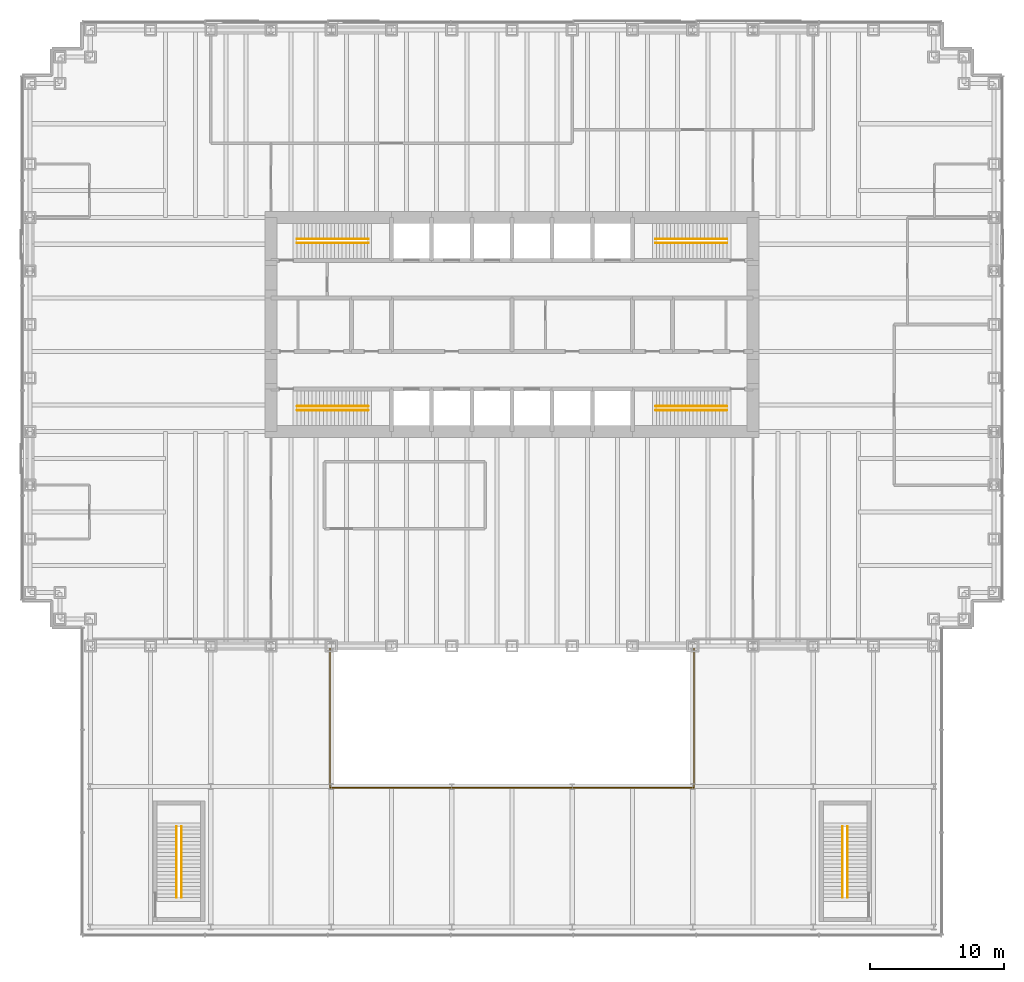
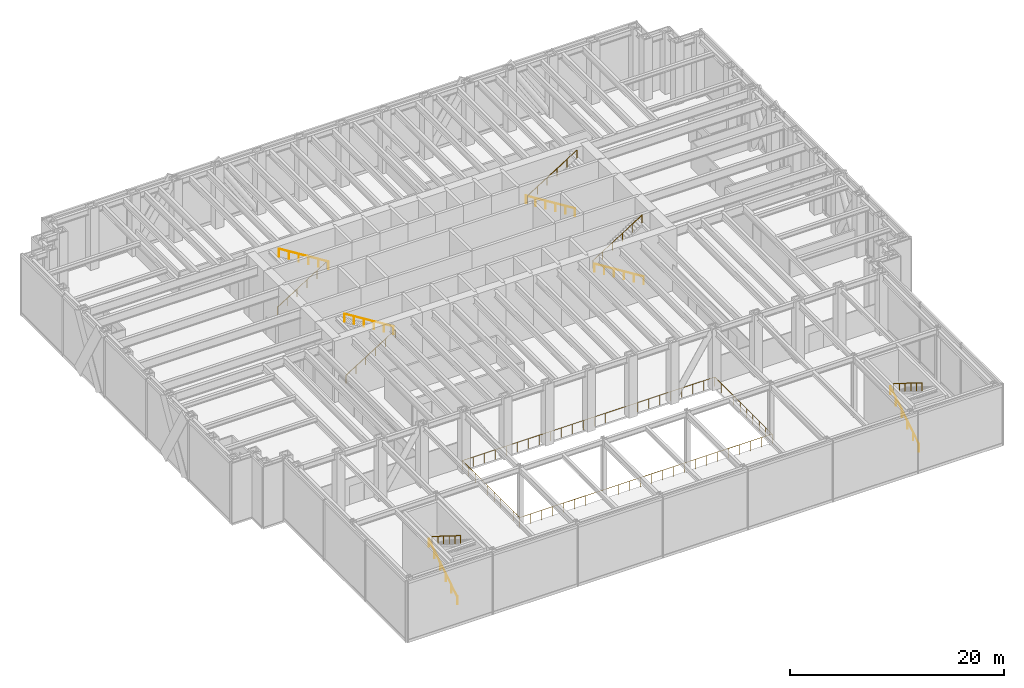
# One storey, part 17 of 17: 13 railings.
"""IFC4 building model written with IfcOpenShell, lengths in metres."""

from ifc_helpers import new_model, si_unit, direction, frame, origin, origin_2d, place, context, subcontext, project, spatial, circle, extrude, material, type_object, element, save


model = new_model("IFC4")

# Units and contexts
model_context = context("Model", 3, precision=1e-05, world=origin(), true_north=direction((0.0, 1.0)))
body_context = subcontext(model_context, "Body", "Model", "MODEL_VIEW")
ifc_project = project(units=[si_unit("LENGTHUNIT", "METRE"), si_unit("AREAUNIT", "SQUARE_METRE"), si_unit("VOLUMEUNIT", "CUBIC_METRE"), si_unit("PLANEANGLEUNIT", "RADIAN"), si_unit("MASSUNIT", "GRAM", prefix="KILO")], contexts=[model_context])

# Site, building, storey
site_placement = place(None, origin())
site = spatial("IfcSite", under=ifc_project, at=site_placement, CompositionType="ELEMENT")
building_placement = place(site_placement, origin())
building = spatial("IfcBuilding", under=site, at=building_placement, Name="Rheinbord Bourse Tower", CompositionType="ELEMENT")
storey_placement = place(building_placement, frame((0.0, 0.0, 6.0)))
storey = spatial("IfcBuildingStorey", under=building, at=storey_placement, Name="L01", CompositionType="ELEMENT", Elevation=6.0)

# Railings
ifc_material_1 = material(Name="Steel and glass guard", Category="steel")
railing_type_1 = type_object("IfcRailingType", Name="GUARD 1100", PredefinedType="GUARDRAIL", material=ifc_material_1)
railing_1_placement = place(storey_placement, frame((22.39990234375, -10.60009765625, 0.0)))
element("IfcRailing", 1, at=railing_1_placement, inside=storey, type_object=railing_type_1, Name="Atrium guard L01", PredefinedType="GUARDRAIL", context=body_context, shape_type="SweptSolid", body=[
    extrude(circle(Radius=0.02392578125, at=origin_2d()), frame((0.0, 0.0, 1.076171875), z_axis=(1.0, 0.0, 0.0), x_axis=(0.0, 1.0, 0.0)), (0.0, 0.0, 1.0), 27.2001953125),
    extrude(circle(Radius=0.02392578125, at=origin_2d()), frame((27.2001953125, 0.0, 1.076171875), z_axis=(0.0, 1.0, 0.0), x_axis=(-1.0, 0.0, 0.0)), (0.0, 0.0, 1.0), 10.7001953125),
    extrude(circle(Radius=0.02392578125, at=origin_2d()), frame((27.2001953125, 10.7001953125, 1.076171875), z_axis=(-1.0, 0.0, 0.0), x_axis=(0.0, -1.0, 0.0)), (0.0, 0.0, 1.0), 27.2001953125),
    extrude(circle(Radius=0.02392578125, at=origin_2d()), frame((0.0, 10.7001953125, 1.076171875), z_axis=(0.0, -1.0, 0.0), x_axis=(1.0, 0.0, 0.0)), (0.0, 0.0, 1.0), 10.7001953125),
    extrude(circle(Radius=0.02099609375, at=origin_2d()), origin(), (0.0, 0.0, 1.0), 1.052001953125),
    extrude(circle(Radius=0.02099609375, at=origin_2d()), frame((1.1826171875, 0.0, 0.0)), (0.0, 0.0, 1.0), 1.052001953125),
    extrude(circle(Radius=0.02099609375, at=origin_2d()), frame((2.365234375, 0.0, 0.0)), (0.0, 0.0, 1.0), 1.052001953125),
    extrude(circle(Radius=0.02099609375, at=origin_2d()), frame((3.5478515625, 0.0, 0.0)), (0.0, 0.0, 1.0), 1.052001953125),
    extrude(circle(Radius=0.02099609375, at=origin_2d()), frame((4.73046875, 0.0, 0.0)), (0.0, 0.0, 1.0), 1.052001953125),
    extrude(circle(Radius=0.02099609375, at=origin_2d()), frame((5.9130859375, 0.0, 0.0)), (0.0, 0.0, 1.0), 1.052001953125),
    extrude(circle(Radius=0.02099609375, at=origin_2d()), frame((7.095703125, 0.0, 0.0)), (0.0, 0.0, 1.0), 1.052001953125),
    extrude(circle(Radius=0.02099609375, at=origin_2d()), frame((8.2783203125, 0.0, 0.0)), (0.0, 0.0, 1.0), 1.052001953125),
    extrude(circle(Radius=0.02099609375, at=origin_2d()), frame((9.4609375, 0.0, 0.0)), (0.0, 0.0, 1.0), 1.052001953125),
    extrude(circle(Radius=0.02099609375, at=origin_2d()), frame((10.6435546875, 0.0, 0.0)), (0.0, 0.0, 1.0), 1.052001953125),
    extrude(circle(Radius=0.02099609375, at=origin_2d()), frame((11.826171875, 0.0, 0.0)), (0.0, 0.0, 1.0), 1.052001953125),
    extrude(circle(Radius=0.02099609375, at=origin_2d()), frame((13.0087890625, 0.0, 0.0)), (0.0, 0.0, 1.0), 1.052001953125),
    extrude(circle(Radius=0.02099609375, at=origin_2d()), frame((14.19140625, 0.0, 0.0)), (0.0, 0.0, 1.0), 1.052001953125),
    extrude(circle(Radius=0.02099609375, at=origin_2d()), frame((15.3740234375, 0.0, 0.0)), (0.0, 0.0, 1.0), 1.052001953125),
    extrude(circle(Radius=0.02099609375, at=origin_2d()), frame((16.556640625, 0.0, 0.0)), (0.0, 0.0, 1.0), 1.052001953125),
    extrude(circle(Radius=0.02099609375, at=origin_2d()), frame((17.7392578125, 0.0, 0.0)), (0.0, 0.0, 1.0), 1.052001953125),
    extrude(circle(Radius=0.02099609375, at=origin_2d()), frame((18.921875, 0.0, 0.0)), (0.0, 0.0, 1.0), 1.052001953125),
    extrude(circle(Radius=0.02099609375, at=origin_2d()), frame((20.1044921875, 0.0, 0.0)), (0.0, 0.0, 1.0), 1.052001953125),
    extrude(circle(Radius=0.02099609375, at=origin_2d()), frame((21.287109375, 0.0, 0.0)), (0.0, 0.0, 1.0), 1.052001953125),
    extrude(circle(Radius=0.02099609375, at=origin_2d()), frame((22.4697265625, 0.0, 0.0)), (0.0, 0.0, 1.0), 1.052001953125),
    extrude(circle(Radius=0.02099609375, at=origin_2d()), frame((23.65234375, 0.0, 0.0)), (0.0, 0.0, 1.0), 1.052001953125),
    extrude(circle(Radius=0.02099609375, at=origin_2d()), frame((24.8349609375, 0.0, 0.0)), (0.0, 0.0, 1.0), 1.052001953125),
    extrude(circle(Radius=0.02099609375, at=origin_2d()), frame((26.017578125, 0.0, 0.0)), (0.0, 0.0, 1.0), 1.052001953125),
    extrude(circle(Radius=0.02099609375, at=origin_2d()), frame((27.2001953125, 0.0, 0.0)), (0.0, 0.0, 1.0), 1.052001953125),
    extrude(circle(Radius=0.02099609375, at=origin_2d()), frame((27.2001953125, 1.18896484375, 0.0)), (0.0, 0.0, 1.0), 1.052001953125),
    extrude(circle(Radius=0.02099609375, at=origin_2d()), frame((27.2001953125, 2.3779296875, 0.0)), (0.0, 0.0, 1.0), 1.052001953125),
    extrude(circle(Radius=0.02099609375, at=origin_2d()), frame((27.2001953125, 3.566650390625, 0.0)), (0.0, 0.0, 1.0), 1.052001953125),
    extrude(circle(Radius=0.02099609375, at=origin_2d()), frame((27.2001953125, 4.755615234375, 0.0)), (0.0, 0.0, 1.0), 1.052001953125),
    extrude(circle(Radius=0.02099609375, at=origin_2d()), frame((27.2001953125, 5.944580078125, 0.0)), (0.0, 0.0, 1.0), 1.052001953125),
    extrude(circle(Radius=0.02099609375, at=origin_2d()), frame((27.2001953125, 7.133544921875, 0.0)), (0.0, 0.0, 1.0), 1.052001953125),
    extrude(circle(Radius=0.02099609375, at=origin_2d()), frame((27.2001953125, 8.322265625, 0.0)), (0.0, 0.0, 1.0), 1.052001953125),
    extrude(circle(Radius=0.02099609375, at=origin_2d()), frame((27.2001953125, 9.51123046875, 0.0)), (0.0, 0.0, 1.0), 1.052001953125),
    extrude(circle(Radius=0.02099609375, at=origin_2d()), frame((27.2001953125, 10.7001953125, 0.0)), (0.0, 0.0, 1.0), 1.052001953125),
    extrude(circle(Radius=0.02099609375, at=origin_2d()), frame((26.017578125, 10.7001953125, 0.0)), (0.0, 0.0, 1.0), 1.052001953125),
    extrude(circle(Radius=0.02099609375, at=origin_2d()), frame((24.8349609375, 10.7001953125, 0.0)), (0.0, 0.0, 1.0), 1.052001953125),
    extrude(circle(Radius=0.02099609375, at=origin_2d()), frame((23.65234375, 10.7001953125, 0.0)), (0.0, 0.0, 1.0), 1.052001953125),
    extrude(circle(Radius=0.02099609375, at=origin_2d()), frame((22.4697265625, 10.7001953125, 0.0)), (0.0, 0.0, 1.0), 1.052001953125),
    extrude(circle(Radius=0.02099609375, at=origin_2d()), frame((21.287109375, 10.7001953125, 0.0)), (0.0, 0.0, 1.0), 1.052001953125),
    extrude(circle(Radius=0.02099609375, at=origin_2d()), frame((20.1044921875, 10.7001953125, 0.0)), (0.0, 0.0, 1.0), 1.052001953125),
    extrude(circle(Radius=0.02099609375, at=origin_2d()), frame((18.921875, 10.7001953125, 0.0)), (0.0, 0.0, 1.0), 1.052001953125),
    extrude(circle(Radius=0.02099609375, at=origin_2d()), frame((17.7392578125, 10.7001953125, 0.0)), (0.0, 0.0, 1.0), 1.052001953125),
    extrude(circle(Radius=0.02099609375, at=origin_2d()), frame((16.556640625, 10.7001953125, 0.0)), (0.0, 0.0, 1.0), 1.052001953125),
    extrude(circle(Radius=0.02099609375, at=origin_2d()), frame((15.3740234375, 10.7001953125, 0.0)), (0.0, 0.0, 1.0), 1.052001953125),
    extrude(circle(Radius=0.02099609375, at=origin_2d()), frame((14.19140625, 10.7001953125, 0.0)), (0.0, 0.0, 1.0), 1.052001953125),
    extrude(circle(Radius=0.02099609375, at=origin_2d()), frame((13.0087890625, 10.7001953125, 0.0)), (0.0, 0.0, 1.0), 1.052001953125),
    extrude(circle(Radius=0.02099609375, at=origin_2d()), frame((11.826171875, 10.7001953125, 0.0)), (0.0, 0.0, 1.0), 1.052001953125),
    extrude(circle(Radius=0.02099609375, at=origin_2d()), frame((10.6435546875, 10.7001953125, 0.0)), (0.0, 0.0, 1.0), 1.052001953125),
    extrude(circle(Radius=0.02099609375, at=origin_2d()), frame((9.4609375, 10.7001953125, 0.0)), (0.0, 0.0, 1.0), 1.052001953125),
    extrude(circle(Radius=0.02099609375, at=origin_2d()), frame((8.2783203125, 10.7001953125, 0.0)), (0.0, 0.0, 1.0), 1.052001953125),
    extrude(circle(Radius=0.02099609375, at=origin_2d()), frame((7.095703125, 10.7001953125, 0.0)), (0.0, 0.0, 1.0), 1.052001953125),
    extrude(circle(Radius=0.02099609375, at=origin_2d()), frame((5.9130859375, 10.7001953125, 0.0)), (0.0, 0.0, 1.0), 1.052001953125),
    extrude(circle(Radius=0.02099609375, at=origin_2d()), frame((4.73046875, 10.7001953125, 0.0)), (0.0, 0.0, 1.0), 1.052001953125),
    extrude(circle(Radius=0.02099609375, at=origin_2d()), frame((3.5478515625, 10.7001953125, 0.0)), (0.0, 0.0, 1.0), 1.052001953125),
    extrude(circle(Radius=0.02099609375, at=origin_2d()), frame((2.365234375, 10.7001953125, 0.0)), (0.0, 0.0, 1.0), 1.052001953125),
    extrude(circle(Radius=0.02099609375, at=origin_2d()), frame((1.1826171875, 10.7001953125, 0.0)), (0.0, 0.0, 1.0), 1.052001953125),
    extrude(circle(Radius=0.02099609375, at=origin_2d()), frame((0.0, 10.7001953125, 0.0)), (0.0, 0.0, 1.0), 1.052001953125),
    extrude(circle(Radius=0.02099609375, at=origin_2d()), frame((0.0, 9.51123046875, 0.0)), (0.0, 0.0, 1.0), 1.052001953125),
    extrude(circle(Radius=0.02099609375, at=origin_2d()), frame((0.0, 8.322265625, 0.0)), (0.0, 0.0, 1.0), 1.052001953125),
    extrude(circle(Radius=0.02099609375, at=origin_2d()), frame((0.0, 7.133544921875, 0.0)), (0.0, 0.0, 1.0), 1.052001953125),
    extrude(circle(Radius=0.02099609375, at=origin_2d()), frame((0.0, 5.944580078125, 0.0)), (0.0, 0.0, 1.0), 1.052001953125),
    extrude(circle(Radius=0.02099609375, at=origin_2d()), frame((0.0, 4.755615234375, 0.0)), (0.0, 0.0, 1.0), 1.052001953125),
    extrude(circle(Radius=0.02099609375, at=origin_2d()), frame((0.0, 3.566650390625, 0.0)), (0.0, 0.0, 1.0), 1.052001953125),
    extrude(circle(Radius=0.02099609375, at=origin_2d()), frame((0.0, 2.3779296875, 0.0)), (0.0, 0.0, 1.0), 1.052001953125),
    extrude(circle(Radius=0.02099609375, at=origin_2d()), frame((0.0, 1.18896484375, 0.0)), (0.0, 0.0, 1.0), 1.052001953125),
])
ifc_material_2 = material(Name="Steel handrail", Category="steel")
railing_type_2 = type_object("IfcRailingType", Name="HANDRAIL 900", PredefinedType="HANDRAIL", material=ifc_material_2)
railing_2_placement = place(storey_placement, frame((19.949951171875, 17.60009765625, 0.175048828125)))
element("IfcRailing", 2, at=railing_2_placement, inside=storey, type_object=railing_type_2, Name="Handrail", PredefinedType="HANDRAIL", context=body_context, shape_type="SweptSolid", body=[
    extrude(circle(Radius=0.02392578125, at=origin_2d()), frame((0.0, 0.0, 0.8759765625), z_axis=(0.848004862711, 0.0, 0.52998844593), x_axis=(0.0, 1.0, 0.0)), (0.0, 0.0, 1.0), 6.273681640625),
    extrude(circle(Radius=0.02099609375, at=origin_2d()), origin(), (0.0, 0.0, 1.0), 0.851806640625),
    extrude(circle(Radius=0.02099609375, at=origin_2d()), frame((1.06396484375, 0.0, 0.6650390625)), (0.0, 0.0, 1.0), 0.851806640625),
    extrude(circle(Radius=0.02099609375, at=origin_2d()), frame((2.1279296875, 0.0, 1.330078125)), (0.0, 0.0, 1.0), 0.851806640625),
    extrude(circle(Radius=0.02099609375, at=origin_2d()), frame((3.192138671875, 0.0, 1.994873046875)), (0.0, 0.0, 1.0), 0.851806640625),
    extrude(circle(Radius=0.02099609375, at=origin_2d()), frame((4.256103515625, 0.0, 2.659912109375)), (0.0, 0.0, 1.0), 0.851806640625),
    extrude(circle(Radius=0.02099609375, at=origin_2d()), frame((5.320068359375, 0.0, 3.324951171875)), (0.0, 0.0, 1.0), 0.851806640625),
])
railing_3_placement = place(storey_placement, frame((25.27001953125, 17.89990234375, 3.675048828125)))
element("IfcRailing", 3, at=railing_3_placement, inside=storey, type_object=railing_type_2, Name="Handrail", PredefinedType="HANDRAIL", context=body_context, shape_type="SweptSolid", body=[
    extrude(circle(Radius=0.02392578125, at=origin_2d()), frame((0.0, 0.0, 0.8759765625), z_axis=(-0.848004862711, 0.0, 0.52998844593), x_axis=(0.0, -1.0, 0.0)), (0.0, 0.0, 1.0), 6.273681640625),
    extrude(circle(Radius=0.02099609375, at=origin_2d()), origin(), (0.0, 0.0, 1.0), 0.851806640625),
    extrude(circle(Radius=0.02099609375, at=origin_2d()), frame((-1.06396484375, 0.0, 0.6650390625)), (0.0, 0.0, 1.0), 0.851806640625),
    extrude(circle(Radius=0.02099609375, at=origin_2d()), frame((-2.1279296875, 0.0, 1.330078125)), (0.0, 0.0, 1.0), 0.851806640625),
    extrude(circle(Radius=0.02099609375, at=origin_2d()), frame((-3.192138671875, 0.0, 1.994873046875)), (0.0, 0.0, 1.0), 0.851806640625),
    extrude(circle(Radius=0.02099609375, at=origin_2d()), frame((-4.256103515625, 0.0, 2.659912109375)), (0.0, 0.0, 1.0), 0.851806640625),
    extrude(circle(Radius=0.02099609375, at=origin_2d()), frame((-5.320068359375, 0.0, 3.324951171875)), (0.0, 0.0, 1.0), 0.851806640625),
])
railing_4_placement = place(storey_placement, frame((19.949951171875, 30.39990234375, 0.175048828125)))
element("IfcRailing", 4, at=railing_4_placement, inside=storey, type_object=railing_type_2, Name="Handrail", PredefinedType="HANDRAIL", context=body_context, shape_type="SweptSolid", body=[
    extrude(circle(Radius=0.02392578125, at=origin_2d()), frame((0.0, 0.0, 0.8759765625), z_axis=(0.848004862711, 0.0, 0.52998844593), x_axis=(0.0, 1.0, 0.0)), (0.0, 0.0, 1.0), 6.273681640625),
    extrude(circle(Radius=0.02099609375, at=origin_2d()), origin(), (0.0, 0.0, 1.0), 0.851806640625),
    extrude(circle(Radius=0.02099609375, at=origin_2d()), frame((1.06396484375, 0.0, 0.6650390625)), (0.0, 0.0, 1.0), 0.851806640625),
    extrude(circle(Radius=0.02099609375, at=origin_2d()), frame((2.1279296875, 0.0, 1.330078125)), (0.0, 0.0, 1.0), 0.851806640625),
    extrude(circle(Radius=0.02099609375, at=origin_2d()), frame((3.192138671875, 0.0, 1.994873046875)), (0.0, 0.0, 1.0), 0.851806640625),
    extrude(circle(Radius=0.02099609375, at=origin_2d()), frame((4.256103515625, 0.0, 2.659912109375)), (0.0, 0.0, 1.0), 0.851806640625),
    extrude(circle(Radius=0.02099609375, at=origin_2d()), frame((5.320068359375, 0.0, 3.324951171875)), (0.0, 0.0, 1.0), 0.851806640625),
])
for number, where, name in (
    (5, (25.27001953125, 30.10009765625, 3.675048828125), "Handrail"),
    (6, (52.050048828125, 17.60009765625, 0.175048828125), "Handrail"),
):
    element("IfcRailing", number, at=place(storey_placement, frame(where)), inside=storey, type_object=railing_type_2, Name=name, PredefinedType="HANDRAIL", context=body_context, shape_type="SweptSolid", body=[
        extrude(circle(Radius=0.02392578125, at=origin_2d()), frame((0.0, 0.0, 0.8759765625), z_axis=(-0.848004862711, 0.0, 0.52998844593), x_axis=(0.0, -1.0, 0.0)), (0.0, 0.0, 1.0), 6.273681640625),
        extrude(circle(Radius=0.02099609375, at=origin_2d()), origin(), (0.0, 0.0, 1.0), 0.851806640625),
        extrude(circle(Radius=0.02099609375, at=origin_2d()), frame((-1.06396484375, 0.0, 0.6650390625)), (0.0, 0.0, 1.0), 0.851806640625),
        extrude(circle(Radius=0.02099609375, at=origin_2d()), frame((-2.1279296875, 0.0, 1.330078125)), (0.0, 0.0, 1.0), 0.851806640625),
        extrude(circle(Radius=0.02099609375, at=origin_2d()), frame((-3.192138671875, 0.0, 1.994873046875)), (0.0, 0.0, 1.0), 0.851806640625),
        extrude(circle(Radius=0.02099609375, at=origin_2d()), frame((-4.256103515625, 0.0, 2.659912109375)), (0.0, 0.0, 1.0), 0.851806640625),
        extrude(circle(Radius=0.02099609375, at=origin_2d()), frame((-5.320068359375, 0.0, 3.324951171875)), (0.0, 0.0, 1.0), 0.851806640625),
    ])
railing_5_placement = place(storey_placement, frame((46.72998046875, 17.89990234375, 3.675048828125)))
element("IfcRailing", 7, at=railing_5_placement, inside=storey, type_object=railing_type_2, Name="Handrail", PredefinedType="HANDRAIL", context=body_context, shape_type="SweptSolid", body=[
    extrude(circle(Radius=0.02392578125, at=origin_2d()), frame((0.0, 0.0, 0.8759765625), z_axis=(0.848004862711, 0.0, 0.52998844593), x_axis=(0.0, 1.0, 0.0)), (0.0, 0.0, 1.0), 6.273681640625),
    extrude(circle(Radius=0.02099609375, at=origin_2d()), origin(), (0.0, 0.0, 1.0), 0.851806640625),
    extrude(circle(Radius=0.02099609375, at=origin_2d()), frame((1.06396484375, 0.0, 0.6650390625)), (0.0, 0.0, 1.0), 0.851806640625),
    extrude(circle(Radius=0.02099609375, at=origin_2d()), frame((2.1279296875, 0.0, 1.330078125)), (0.0, 0.0, 1.0), 0.851806640625),
    extrude(circle(Radius=0.02099609375, at=origin_2d()), frame((3.192138671875, 0.0, 1.994873046875)), (0.0, 0.0, 1.0), 0.851806640625),
    extrude(circle(Radius=0.02099609375, at=origin_2d()), frame((4.256103515625, 0.0, 2.659912109375)), (0.0, 0.0, 1.0), 0.851806640625),
    extrude(circle(Radius=0.02099609375, at=origin_2d()), frame((5.320068359375, 0.0, 3.324951171875)), (0.0, 0.0, 1.0), 0.851806640625),
])
railing_6_placement = place(storey_placement, frame((52.050048828125, 30.39990234375, 0.175048828125)))
element("IfcRailing", 8, at=railing_6_placement, inside=storey, type_object=railing_type_2, Name="Handrail", PredefinedType="HANDRAIL", context=body_context, shape_type="SweptSolid", body=[
    extrude(circle(Radius=0.02392578125, at=origin_2d()), frame((0.0, 0.0, 0.8759765625), z_axis=(-0.848004862711, 0.0, 0.52998844593), x_axis=(0.0, -1.0, 0.0)), (0.0, 0.0, 1.0), 6.273681640625),
    extrude(circle(Radius=0.02099609375, at=origin_2d()), origin(), (0.0, 0.0, 1.0), 0.851806640625),
    extrude(circle(Radius=0.02099609375, at=origin_2d()), frame((-1.06396484375, 0.0, 0.6650390625)), (0.0, 0.0, 1.0), 0.851806640625),
    extrude(circle(Radius=0.02099609375, at=origin_2d()), frame((-2.1279296875, 0.0, 1.330078125)), (0.0, 0.0, 1.0), 0.851806640625),
    extrude(circle(Radius=0.02099609375, at=origin_2d()), frame((-3.192138671875, 0.0, 1.994873046875)), (0.0, 0.0, 1.0), 0.851806640625),
    extrude(circle(Radius=0.02099609375, at=origin_2d()), frame((-4.256103515625, 0.0, 2.659912109375)), (0.0, 0.0, 1.0), 0.851806640625),
    extrude(circle(Radius=0.02099609375, at=origin_2d()), frame((-5.320068359375, 0.0, 3.324951171875)), (0.0, 0.0, 1.0), 0.851806640625),
])
railing_7_placement = place(storey_placement, frame((46.72998046875, 30.10009765625, 3.675048828125)))
element("IfcRailing", 9, at=railing_7_placement, inside=storey, type_object=railing_type_2, Name="Handrail", PredefinedType="HANDRAIL", context=body_context, shape_type="SweptSolid", body=[
    extrude(circle(Radius=0.02392578125, at=origin_2d()), frame((0.0, 0.0, 0.8759765625), z_axis=(0.848004862711, 0.0, 0.52998844593), x_axis=(0.0, 1.0, 0.0)), (0.0, 0.0, 1.0), 6.273681640625),
    extrude(circle(Radius=0.02099609375, at=origin_2d()), origin(), (0.0, 0.0, 1.0), 0.851806640625),
    extrude(circle(Radius=0.02099609375, at=origin_2d()), frame((1.06396484375, 0.0, 0.6650390625)), (0.0, 0.0, 1.0), 0.851806640625),
    extrude(circle(Radius=0.02099609375, at=origin_2d()), frame((2.1279296875, 0.0, 1.330078125)), (0.0, 0.0, 1.0), 0.851806640625),
    extrude(circle(Radius=0.02099609375, at=origin_2d()), frame((3.192138671875, 0.0, 1.994873046875)), (0.0, 0.0, 1.0), 0.851806640625),
    extrude(circle(Radius=0.02099609375, at=origin_2d()), frame((4.256103515625, 0.0, 2.659912109375)), (0.0, 0.0, 1.0), 0.851806640625),
    extrude(circle(Radius=0.02099609375, at=origin_2d()), frame((5.320068359375, 0.0, 3.324951171875)), (0.0, 0.0, 1.0), 0.851806640625),
])
railing_8_placement = place(storey_placement, frame((10.949951171875, -18.800048828125, 0.175048828125)))
element("IfcRailing", 10, at=railing_8_placement, inside=storey, type_object=railing_type_2, Name="Handrail", PredefinedType="HANDRAIL", context=body_context, shape_type="SweptSolid", body=[
    extrude(circle(Radius=0.02392578125, at=origin_2d()), frame((0.0, 0.0, 0.8759765625), z_axis=(0.0, 0.848004862711, 0.52998844593), x_axis=(-1.0, 0.0, 0.0)), (0.0, 0.0, 1.0), 6.273681640625),
    extrude(circle(Radius=0.02099609375, at=origin_2d()), origin(), (0.0, 0.0, 1.0), 0.851806640625),
    extrude(circle(Radius=0.02099609375, at=origin_2d()), frame((0.0, 1.06396484375, 0.6650390625)), (0.0, 0.0, 1.0), 0.851806640625),
    extrude(circle(Radius=0.02099609375, at=origin_2d()), frame((0.0, 2.1279296875, 1.330078125)), (0.0, 0.0, 1.0), 0.851806640625),
    extrude(circle(Radius=0.02099609375, at=origin_2d()), frame((0.0, 3.192138671875, 1.994873046875)), (0.0, 0.0, 1.0), 0.851806640625),
    extrude(circle(Radius=0.02099609375, at=origin_2d()), frame((0.0, 4.256103515625, 2.659912109375)), (0.0, 0.0, 1.0), 0.851806640625),
    extrude(circle(Radius=0.02099609375, at=origin_2d()), frame((0.0, 5.320068359375, 3.324951171875)), (0.0, 0.0, 1.0), 0.851806640625),
])
railing_9_placement = place(storey_placement, frame((11.300048828125, -13.47998046875, 3.675048828125)))
element("IfcRailing", 11, at=railing_9_placement, inside=storey, type_object=railing_type_2, Name="Handrail", PredefinedType="HANDRAIL", context=body_context, shape_type="SweptSolid", body=[
    extrude(circle(Radius=0.02392578125, at=origin_2d()), frame((0.0, 0.0, 0.8759765625), z_axis=(0.0, -0.848004862711, 0.52998844593), x_axis=(1.0, 0.0, 0.0)), (0.0, 0.0, 1.0), 6.273681640625),
    extrude(circle(Radius=0.02099609375, at=origin_2d()), origin(), (0.0, 0.0, 1.0), 0.851806640625),
    extrude(circle(Radius=0.02099609375, at=origin_2d()), frame((0.0, -1.06396484375, 0.6650390625)), (0.0, 0.0, 1.0), 0.851806640625),
    extrude(circle(Radius=0.02099609375, at=origin_2d()), frame((0.0, -2.1279296875, 1.330078125)), (0.0, 0.0, 1.0), 0.851806640625),
    extrude(circle(Radius=0.02099609375, at=origin_2d()), frame((0.0, -3.192138671875, 1.994873046875)), (0.0, 0.0, 1.0), 0.851806640625),
    extrude(circle(Radius=0.02099609375, at=origin_2d()), frame((0.0, -4.256103515625, 2.659912109375)), (0.0, 0.0, 1.0), 0.851806640625),
    extrude(circle(Radius=0.02099609375, at=origin_2d()), frame((0.0, -5.320068359375, 3.324951171875)), (0.0, 0.0, 1.0), 0.851806640625),
])
railing_10_placement = place(storey_placement, frame((60.699951171875, -18.800048828125, 0.175048828125)))
element("IfcRailing", 12, at=railing_10_placement, inside=storey, type_object=railing_type_2, Name="Handrail", PredefinedType="HANDRAIL", context=body_context, shape_type="SweptSolid", body=[
    extrude(circle(Radius=0.02392578125, at=origin_2d()), frame((0.0, 0.0, 0.8759765625), z_axis=(0.0, 0.848004862711, 0.52998844593), x_axis=(-1.0, 0.0, 0.0)), (0.0, 0.0, 1.0), 6.273681640625),
    extrude(circle(Radius=0.02099609375, at=origin_2d()), origin(), (0.0, 0.0, 1.0), 0.851806640625),
    extrude(circle(Radius=0.02099609375, at=origin_2d()), frame((0.0, 1.06396484375, 0.6650390625)), (0.0, 0.0, 1.0), 0.851806640625),
    extrude(circle(Radius=0.02099609375, at=origin_2d()), frame((0.0, 2.1279296875, 1.330078125)), (0.0, 0.0, 1.0), 0.851806640625),
    extrude(circle(Radius=0.02099609375, at=origin_2d()), frame((0.0, 3.192138671875, 1.994873046875)), (0.0, 0.0, 1.0), 0.851806640625),
    extrude(circle(Radius=0.02099609375, at=origin_2d()), frame((0.0, 4.256103515625, 2.659912109375)), (0.0, 0.0, 1.0), 0.851806640625),
    extrude(circle(Radius=0.02099609375, at=origin_2d()), frame((0.0, 5.320068359375, 3.324951171875)), (0.0, 0.0, 1.0), 0.851806640625),
])
railing_11_placement = place(storey_placement, frame((61.050048828125, -13.47998046875, 3.675048828125)))
element("IfcRailing", 13, at=railing_11_placement, inside=storey, type_object=railing_type_2, Name="Handrail", PredefinedType="HANDRAIL", context=body_context, shape_type="SweptSolid", body=[
    extrude(circle(Radius=0.02392578125, at=origin_2d()), frame((0.0, 0.0, 0.8759765625), z_axis=(0.0, -0.848004862711, 0.52998844593), x_axis=(1.0, 0.0, 0.0)), (0.0, 0.0, 1.0), 6.273681640625),
    extrude(circle(Radius=0.02099609375, at=origin_2d()), origin(), (0.0, 0.0, 1.0), 0.851806640625),
    extrude(circle(Radius=0.02099609375, at=origin_2d()), frame((0.0, -1.06396484375, 0.6650390625)), (0.0, 0.0, 1.0), 0.851806640625),
    extrude(circle(Radius=0.02099609375, at=origin_2d()), frame((0.0, -2.1279296875, 1.330078125)), (0.0, 0.0, 1.0), 0.851806640625),
    extrude(circle(Radius=0.02099609375, at=origin_2d()), frame((0.0, -3.192138671875, 1.994873046875)), (0.0, 0.0, 1.0), 0.851806640625),
    extrude(circle(Radius=0.02099609375, at=origin_2d()), frame((0.0, -4.256103515625, 2.659912109375)), (0.0, 0.0, 1.0), 0.851806640625),
    extrude(circle(Radius=0.02099609375, at=origin_2d()), frame((0.0, -5.320068359375, 3.324951171875)), (0.0, 0.0, 1.0), 0.851806640625),
])

save(model, "model.ifc")
